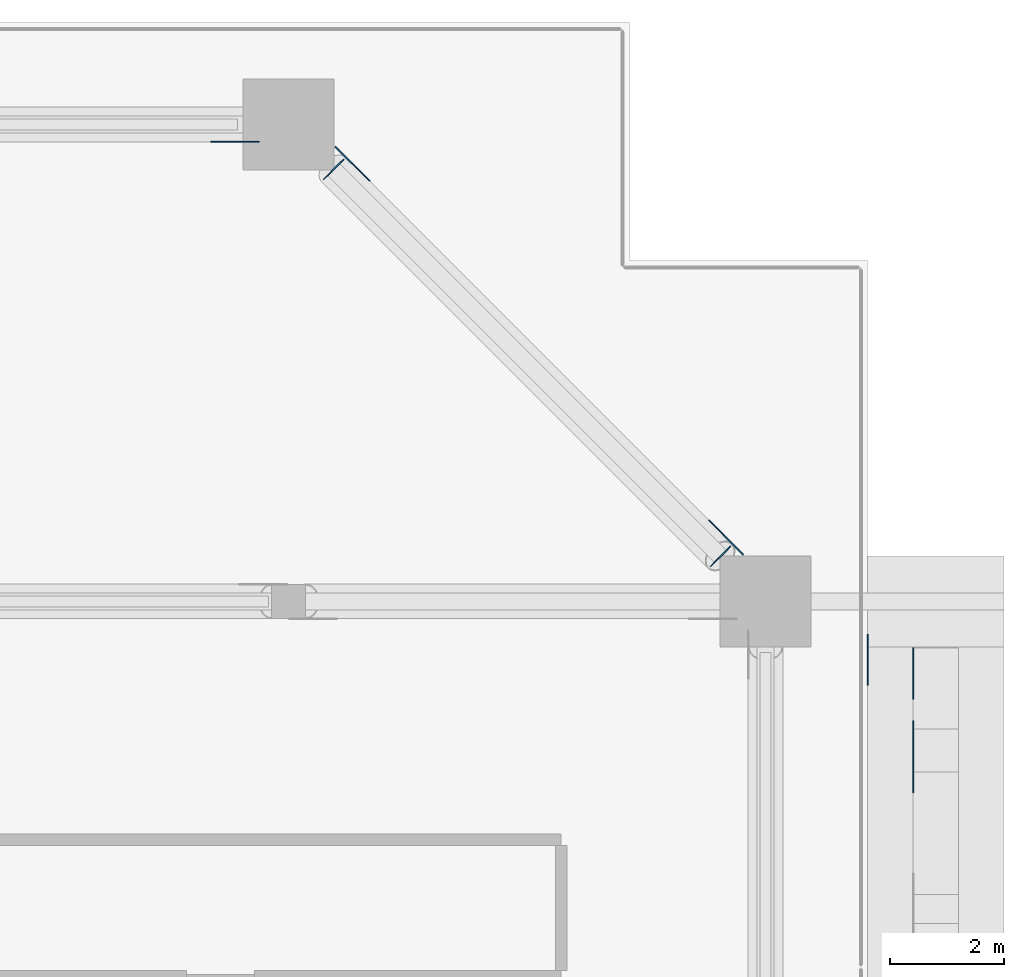
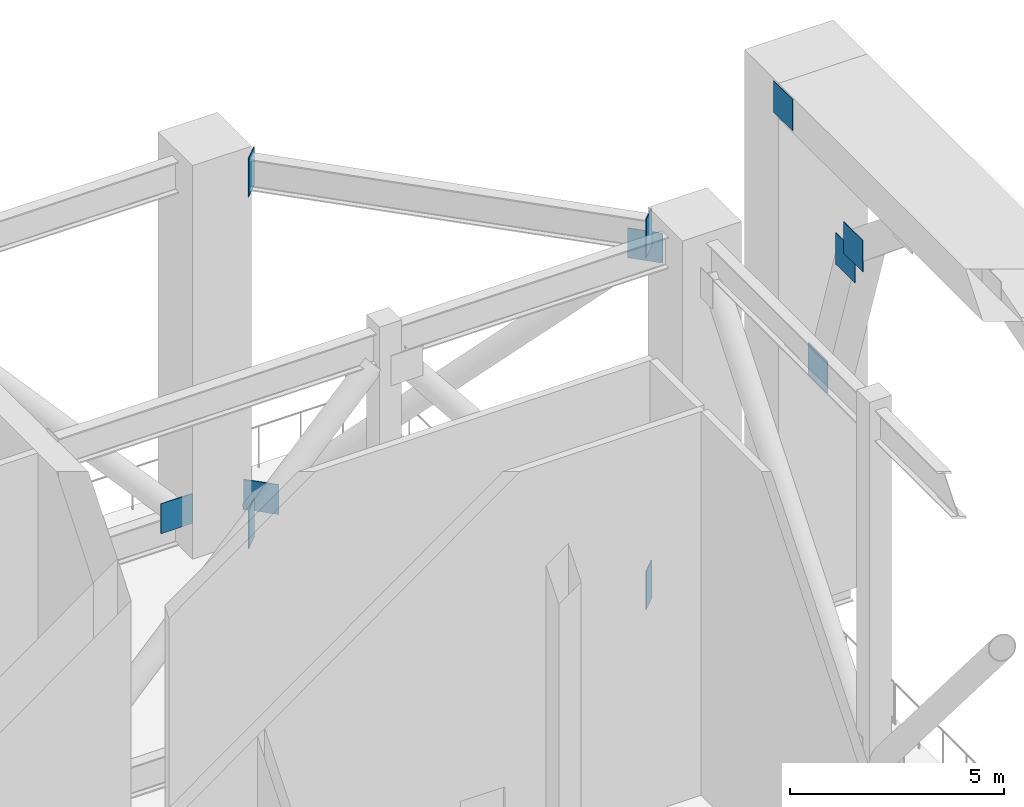
# One storey, part 15 of 19: 11 discrete accessories.
"""IFC4 building model written with IfcOpenShell, lengths in metres."""

from ifc_helpers import new_model, si_unit, direction, frame, origin, origin_2d, place, context, subcontext, project, spatial, rectangle, extrude, element, save


model = new_model("IFC4")

# Units and contexts
model_context = context("Model", 3, precision=1e-05, world=origin(), true_north=direction((0.0, 1.0)))
body_context = subcontext(model_context, "Body", "Model", "MODEL_VIEW")
ifc_project = project(units=[si_unit("LENGTHUNIT", "METRE"), si_unit("AREAUNIT", "SQUARE_METRE"), si_unit("VOLUMEUNIT", "CUBIC_METRE"), si_unit("PLANEANGLEUNIT", "RADIAN"), si_unit("MASSUNIT", "GRAM", prefix="KILO")], contexts=[model_context])

# Site, building, storey
site_placement = place(None, origin())
site = spatial("IfcSite", under=ifc_project, at=site_placement, CompositionType="ELEMENT")
building_placement = place(site_placement, origin())
building = spatial("IfcBuilding", under=site, at=building_placement, Name="Saffron Gate Tower", CompositionType="ELEMENT")
storey_placement = place(building_placement, frame((0.0, 0.0, 194.25)))
storey = spatial("IfcBuildingStorey", under=building, at=storey_placement, Name="L48", CompositionType="ELEMENT", Elevation=194.25)

# Discrete accessories
for number, where, z_axis, x_axis, name in (
    (1, (118.125, 73.1064453125, 0.620361328125), (0.0, 0.0, 1.0), (0.707106781187, -0.707106781187, 0.0), "GUSSET PLATE"),
    (2, (124.706298828125, 66.52490234375, 9.49560546875), (0.0, 0.0, 1.0), (0.707106781187, -0.707106781187, 0.0), "GUSSET PLATE"),
    (3, (116.05810546875, 73.4951171875, 0.632568359375), (0.0, 0.0, 1.0), (-1.0, 0.0, 0.0), "GUSSET PLATE"),
):
    element("IfcDiscreteAccessory", number, at=place(storey_placement, frame(where, z_axis=z_axis, x_axis=x_axis)), inside=storey, Name=name, ObjectType="GUSSET PLATE", PredefinedType="USERDEFINED", context=body_context, shape_type="SweptSolid", body=[
        extrude(rectangle(XDim=0.85400390625, YDim=0.02001953125, at=origin_2d()), origin(), (0.0, 0.0, 1.0), 0.85400390625),
    ])
for number, where, z_axis, x_axis, name in (
    (4, (128.0, 62.4755859375, 10.737548828125), (0.0, 0.0, 1.0), (0.0, 1.0, 0.0), "EMBEDDED PLATE"),
    (5, (128.0, 62.8447265625, 10.19677734375), (0.0, 0.0, 1.0), (0.0, 1.0, 0.0), "EMBEDDED PLATE"),
    (6, (128.0, 64.1298828125, 6.28125), (0.0, 0.0, 1.0), (0.0, 1.0, 0.0), "EMBEDDED PLATE"),
    (7, (127.199951171875, 64.375, 13.900146484375), (0.0, 0.0, 1.0), (0.0, 1.0, 0.0), "EMBEDDED PLATE"),
):
    element("IfcDiscreteAccessory", number, at=place(storey_placement, frame(where, z_axis=z_axis, x_axis=x_axis)), inside=storey, Name=name, ObjectType="EMBEDDED PLATE", PredefinedType="USERDEFINED", context=body_context, shape_type="SweptSolid", body=[
        extrude(rectangle(XDim=0.89990234375, YDim=0.02001953125, at=origin_2d()), origin(), (0.0, 0.0, 1.0), 0.89990234375),
    ])
for number, where, z_axis, x_axis, name in (
    (8, (117.79296875, 73.007080078125, 9.969970703125), (0.0, 0.0, 1.0), (-0.707106781187, 0.707106781187, 0.0), "BELT TRUSS END PLATE"),
    (9, (124.607177734375, 66.19287109375, 9.969970703125), (0.0, 0.0, 1.0), (0.707106781187, -0.707106781187, 0.0), "BELT TRUSS END PLATE"),
    (10, (117.79296875, 73.007080078125, -0.10009765625), (0.0, 0.0, 1.0), (-0.707106781187, 0.707106781187, 0.0), "BELT TRUSS END PLATE"),
    (11, (124.607177734375, 66.19287109375, -0.10009765625), (0.0, 0.0, 1.0), (0.707106781187, -0.707106781187, 0.0), "BELT TRUSS END PLATE"),
):
    element("IfcDiscreteAccessory", number, at=place(storey_placement, frame(where, z_axis=z_axis, x_axis=x_axis)), inside=storey, Name=name, ObjectType="BELT TRUSS END PLATE", PredefinedType="USERDEFINED", context=body_context, shape_type="SweptSolid", body=[
        extrude(rectangle(XDim=0.02001953125, YDim=0.5, at=origin_2d()), origin(), (0.0, 0.0, 1.0), 1.10009765625),
    ])

save(model, "model.ifc")
